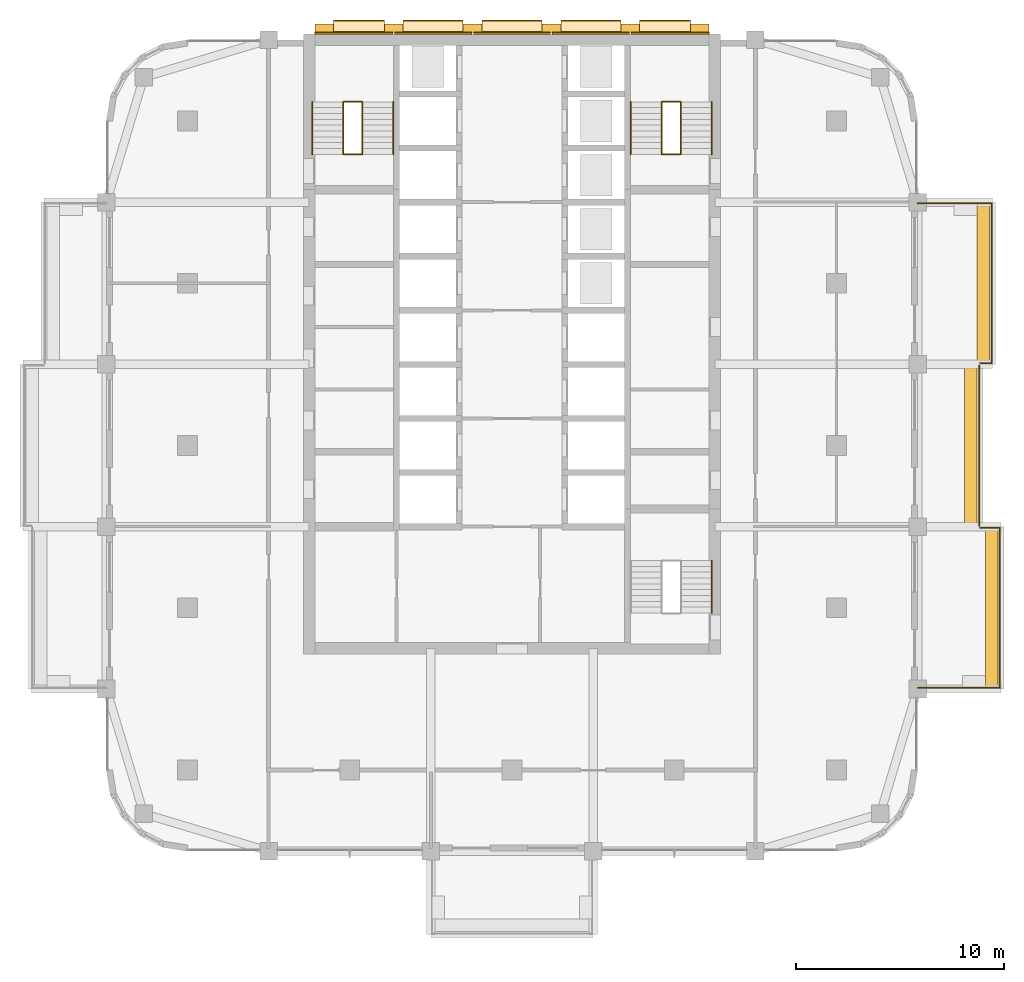
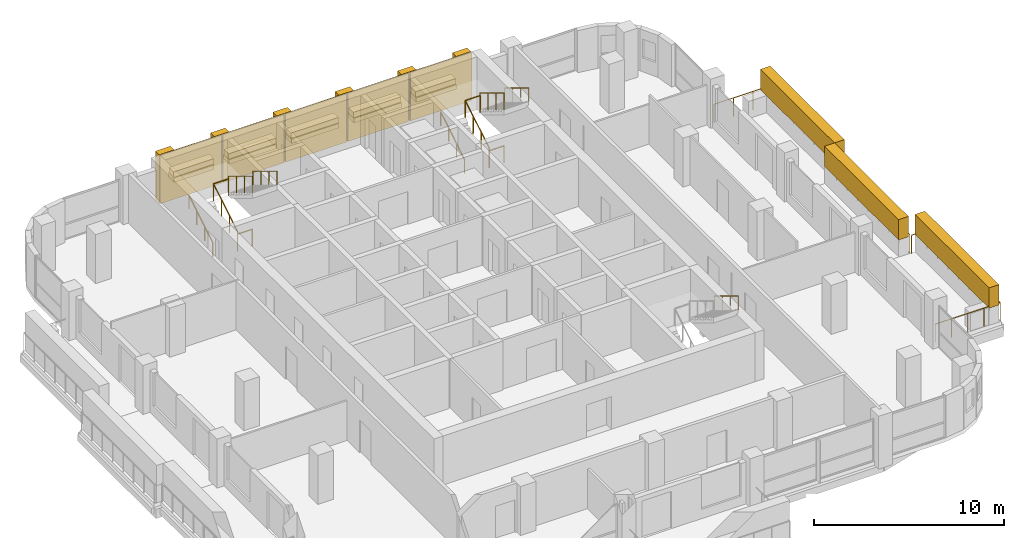
# One storey, part 18 of 19: 24 coverings, 16 railings, 3 elements without a shape of their own.
"""IFC4 building model written with IfcOpenShell, lengths in metres."""

from ifc_helpers import new_model, si_unit, direction, frame, origin, origin_2d, place, context, subcontext, project, spatial, rectangle, circle, extrude, material, layer, layer_set, type_object, element, aggregate, save


model = new_model("IFC4")

# Units and contexts
model_context = context("Model", 3, precision=1e-05, world=origin(), true_north=direction((0.0, 1.0)))
body_context = subcontext(model_context, "Body", "Model", "MODEL_VIEW")
ifc_project = project(units=[si_unit("LENGTHUNIT", "METRE"), si_unit("AREAUNIT", "SQUARE_METRE"), si_unit("VOLUMEUNIT", "CUBIC_METRE"), si_unit("PLANEANGLEUNIT", "RADIAN"), si_unit("MASSUNIT", "GRAM", prefix="KILO")], contexts=[model_context])

# Site, building, storey
site_placement = place(None, origin())
site = spatial("IfcSite", under=ifc_project, at=site_placement, CompositionType="ELEMENT")
building_placement = place(site_placement, origin())
building = spatial("IfcBuilding", under=site, at=building_placement, Name="Ludao Terraces", CompositionType="ELEMENT")
storey_placement = place(building_placement, frame((0.0, 0.0, 133.89990234375)))
storey = spatial("IfcBuildingStorey", under=building, at=storey_placement, Name="L36", CompositionType="ELEMENT", Elevation=133.89990234375)

# Railings
ifc_material_1 = material(Name="Stainless steel 304", Category="steel")
railing_type_1 = type_object("IfcRailingType", Name="ENV Balcony glass guard 1200", PredefinedType="GUARDRAIL", material=ifc_material_1)
railing_1_placement = place(storey_placement, frame((104.5, 53.35009765625, 0.0)))
element("IfcRailing", 1, at=railing_1_placement, inside=storey, type_object=railing_type_1, Name="Balcony guard L36 E1", PredefinedType="GUARDRAIL", context=body_context, shape_type="SweptSolid", body=[
    extrude(circle(Radius=0.02392578125, at=origin_2d()), frame((0.0, 0.0, 1.17578125), z_axis=(1.0, 0.0, 0.0), x_axis=(0.0, 1.0, 0.0)), (0.0, 0.0, 1.0), 3.949951171875),
    extrude(circle(Radius=0.02392578125, at=origin_2d()), frame((3.949951171875, 0.0, 1.17578125), z_axis=(0.0, 1.0, 0.0), x_axis=(-1.0, 0.0, 0.0)), (0.0, 0.0, 1.0), 7.699951171875),
    extrude(circle(Radius=0.02392578125, at=origin_2d()), frame((3.949951171875, 7.699951171875, 1.17578125), z_axis=(-1.0, 0.0, 0.0), x_axis=(0.0, -1.0, 0.0)), (0.0, 0.0, 1.0), 0.949951171875),
    extrude(circle(Radius=0.02099609375, at=origin_2d()), origin(), (0.0, 0.0, 1.0), 1.15185546875),
    extrude(circle(Radius=0.02099609375, at=origin_2d()), frame((0.987548828125, 0.0, 0.0)), (0.0, 0.0, 1.0), 1.15185546875),
    extrude(circle(Radius=0.02099609375, at=origin_2d()), frame((1.97509765625, 0.0, 0.0)), (0.0, 0.0, 1.0), 1.15185546875),
    extrude(circle(Radius=0.02099609375, at=origin_2d()), frame((2.96240234375, 0.0, 0.0)), (0.0, 0.0, 1.0), 1.15185546875),
    extrude(circle(Radius=0.02099609375, at=origin_2d()), frame((3.949951171875, 0.0, 0.0)), (0.0, 0.0, 1.0), 1.15185546875),
    extrude(circle(Radius=0.02099609375, at=origin_2d()), frame((3.949951171875, 1.10009765625, 0.0)), (0.0, 0.0, 1.0), 1.15185546875),
    extrude(circle(Radius=0.02099609375, at=origin_2d()), frame((3.949951171875, 2.199951171875, 0.0)), (0.0, 0.0, 1.0), 1.15185546875),
    extrude(circle(Radius=0.02099609375, at=origin_2d()), frame((3.949951171875, 3.300048828125, 0.0)), (0.0, 0.0, 1.0), 1.15185546875),
    extrude(circle(Radius=0.02099609375, at=origin_2d()), frame((3.949951171875, 4.39990234375, 0.0)), (0.0, 0.0, 1.0), 1.15185546875),
    extrude(circle(Radius=0.02099609375, at=origin_2d()), frame((3.949951171875, 5.5, 0.0)), (0.0, 0.0, 1.0), 1.15185546875),
    extrude(circle(Radius=0.02099609375, at=origin_2d()), frame((3.949951171875, 6.599853515625, 0.0)), (0.0, 0.0, 1.0), 1.15185546875),
    extrude(circle(Radius=0.02099609375, at=origin_2d()), frame((3.949951171875, 7.699951171875, 0.0)), (0.0, 0.0, 1.0), 1.15185546875),
    extrude(circle(Radius=0.02099609375, at=origin_2d()), frame((3.0, 7.699951171875, 0.0)), (0.0, 0.0, 1.0), 1.15185546875),
])
railing_2_placement = place(storey_placement, frame((107.449951171875, 61.14990234375, 0.0)))
element("IfcRailing", 2, at=railing_2_placement, inside=storey, type_object=railing_type_1, Name="Balcony guard L36 E2", PredefinedType="GUARDRAIL", context=body_context, shape_type="SweptSolid", body=[
    extrude(circle(Radius=0.02392578125, at=origin_2d()), frame((0.0, 0.0, 1.17578125), z_axis=(0.0, 1.0, 0.0), x_axis=(-1.0, 0.0, 0.0)), (0.0, 0.0, 1.0), 7.7001953125),
    extrude(circle(Radius=0.02099609375, at=origin_2d()), origin(), (0.0, 0.0, 1.0), 1.15185546875),
    extrude(circle(Radius=0.02099609375, at=origin_2d()), frame((0.0, 1.10009765625, 0.0)), (0.0, 0.0, 1.0), 1.15185546875),
    extrude(circle(Radius=0.02099609375, at=origin_2d()), frame((0.0, 2.199951171875, 0.0)), (0.0, 0.0, 1.0), 1.15185546875),
    extrude(circle(Radius=0.02099609375, at=origin_2d()), frame((0.0, 3.300048828125, 0.0)), (0.0, 0.0, 1.0), 1.15185546875),
    extrude(circle(Radius=0.02099609375, at=origin_2d()), frame((0.0, 4.400146484375, 0.0)), (0.0, 0.0, 1.0), 1.15185546875),
    extrude(circle(Radius=0.02099609375, at=origin_2d()), frame((0.0, 5.500244140625, 0.0)), (0.0, 0.0, 1.0), 1.15185546875),
    extrude(circle(Radius=0.02099609375, at=origin_2d()), frame((0.0, 6.60009765625, 0.0)), (0.0, 0.0, 1.0), 1.15185546875),
    extrude(circle(Radius=0.02099609375, at=origin_2d()), frame((0.0, 7.7001953125, 0.0)), (0.0, 0.0, 1.0), 1.15185546875),
])
railing_3_placement = place(storey_placement, frame((107.5, 68.949951171875, 0.0)))
element("IfcRailing", 3, at=railing_3_placement, inside=storey, type_object=railing_type_1, Name="Balcony guard L36 E3", PredefinedType="GUARDRAIL", context=body_context, shape_type="SweptSolid", body=[
    extrude(circle(Radius=0.02392578125, at=origin_2d()), frame((0.0, 0.0, 1.17578125), z_axis=(1.0, 0.0, 0.0), x_axis=(0.0, 1.0, 0.0)), (0.0, 0.0, 1.0), 0.550048828125),
    extrude(circle(Radius=0.02392578125, at=origin_2d()), frame((0.550048828125, 0.0, 1.17578125), z_axis=(0.0, 1.0, 0.0), x_axis=(-1.0, 0.0, 0.0)), (0.0, 0.0, 1.0), 7.699951171875),
    extrude(circle(Radius=0.02392578125, at=origin_2d()), frame((0.550048828125, 7.699951171875, 1.17578125), z_axis=(-1.0, 0.0, 0.0), x_axis=(0.0, -1.0, 0.0)), (0.0, 0.0, 1.0), 3.550048828125),
    extrude(circle(Radius=0.02099609375, at=origin_2d()), origin(), (0.0, 0.0, 1.0), 1.15185546875),
    extrude(circle(Radius=0.02099609375, at=origin_2d()), frame((0.550048828125, 0.0, 0.0)), (0.0, 0.0, 1.0), 1.15185546875),
    extrude(circle(Radius=0.02099609375, at=origin_2d()), frame((0.550048828125, 1.10009765625, 0.0)), (0.0, 0.0, 1.0), 1.15185546875),
    extrude(circle(Radius=0.02099609375, at=origin_2d()), frame((0.550048828125, 2.199951171875, 0.0)), (0.0, 0.0, 1.0), 1.15185546875),
    extrude(circle(Radius=0.02099609375, at=origin_2d()), frame((0.550048828125, 3.300048828125, 0.0)), (0.0, 0.0, 1.0), 1.15185546875),
    extrude(circle(Radius=0.02099609375, at=origin_2d()), frame((0.550048828125, 4.39990234375, 0.0)), (0.0, 0.0, 1.0), 1.15185546875),
    extrude(circle(Radius=0.02099609375, at=origin_2d()), frame((0.550048828125, 5.5, 0.0)), (0.0, 0.0, 1.0), 1.15185546875),
    extrude(circle(Radius=0.02099609375, at=origin_2d()), frame((0.550048828125, 6.599853515625, 0.0)), (0.0, 0.0, 1.0), 1.15185546875),
    extrude(circle(Radius=0.02099609375, at=origin_2d()), frame((0.550048828125, 7.699951171875, 0.0)), (0.0, 0.0, 1.0), 1.15185546875),
    extrude(circle(Radius=0.02099609375, at=origin_2d()), frame((-0.63330078125, 7.699951171875, 0.0)), (0.0, 0.0, 1.0), 1.15185546875),
    extrude(circle(Radius=0.02099609375, at=origin_2d()), frame((-1.816650390625, 7.699951171875, 0.0)), (0.0, 0.0, 1.0), 1.15185546875),
    extrude(circle(Radius=0.02099609375, at=origin_2d()), frame((-3.0, 7.699951171875, 0.0)), (0.0, 0.0, 1.0), 1.15185546875),
])

# Coverings
ifc_material_2 = material(Name="Granite cladding", Category="masonry")
ifc_layer_1 = layer(ifc_material_2, 0.39990234375)
ifc_layer_set_1 = layer_set([ifc_layer_1], Name="ENV Core pilaster stone 400")
covering_type_1 = type_object("IfcCoveringType", Name="ENV Core pilaster stone 400", PredefinedType="CLADDING", material=ifc_layer_set_1)
for number, where, z_axis, x_axis, name in (
    (4, (75.97509765625, 85.054931640625, 0.0), (0.0, 0.0, 1.0), (1.0, 0.0, 0.0), "CC-L36-PIL1"),
    (5, (79.31494140625, 85.054931640625, 0.0), (0.0, 0.0, 1.0), (1.0, 0.0, 0.0), "CC-L36-PIL2"),
    (6, (83.10498046875, 85.054931640625, 0.0), (0.0, 0.0, 1.0), (1.0, 0.0, 0.0), "CC-L36-PIL3"),
    (7, (86.89501953125, 85.054931640625, 0.0), (0.0, 0.0, 1.0), (1.0, 0.0, 0.0), "CC-L36-PIL4"),
    (8, (90.68505859375, 85.054931640625, 0.0), (0.0, 0.0, 1.0), (1.0, 0.0, 0.0), "CC-L36-PIL5"),
    (9, (94.02490234375, 85.054931640625, 0.0), (0.0, 0.0, 1.0), (1.0, 0.0, 0.0), "CC-L36-PIL6"),
):
    element("IfcCovering", number, at=place(storey_placement, frame(where, z_axis=z_axis, x_axis=x_axis)), inside=storey, type_object=covering_type_1, Name=name, PredefinedType="CLADDING", context=body_context, shape_type="SweptSolid", body=[
        extrude(rectangle(XDim=0.89990234375, YDim=0.39990234375, at=origin_2d()), origin(), (0.0, 0.0, 1.0), 3.10009765625),
    ])
ifc_layer_2 = layer(ifc_material_2, 0.60009765625)
ifc_layer_set_2 = layer_set([ifc_layer_2], Name="ENV Core planting shelf stone 600")
covering_type_2 = type_object("IfcCoveringType", Name="ENV Core planting shelf stone 600", PredefinedType="CLADDING", material=ifc_layer_set_2)
covering_1_placement = place(storey_placement, frame((77.64501953125, 85.155029296875, 1.0), z_axis=(0.0, 0.0, 1.0), x_axis=(1.0, 0.0, 0.0)))
element("IfcCovering", 10, at=covering_1_placement, inside=storey, type_object=covering_type_2, Name="CC-L36-SHELF1", PredefinedType="CLADDING", context=body_context, shape_type="SweptSolid", body=[
    extrude(rectangle(XDim=2.43994140625, YDim=0.60009765625, at=origin_2d()), origin(), (0.0, 0.0, 1.0), 0.300048828125),
])
for number, where, z_axis, x_axis, name in (
    (11, (81.2099609375, 85.155029296875, 1.0), (0.0, 0.0, 1.0), (1.0, 0.0, 0.0), "CC-L36-SHELF2"),
    (12, (85.0, 85.155029296875, 1.0), (0.0, 0.0, 1.0), (1.0, 0.0, 0.0), "CC-L36-SHELF3"),
    (13, (88.7900390625, 85.155029296875, 1.0), (0.0, 0.0, 1.0), (1.0, 0.0, 0.0), "CC-L36-SHELF4"),
):
    element("IfcCovering", number, at=place(storey_placement, frame(where, z_axis=z_axis, x_axis=x_axis)), inside=storey, type_object=covering_type_2, Name=name, PredefinedType="CLADDING", context=body_context, shape_type="SweptSolid", body=[
        extrude(rectangle(XDim=2.889892578125, YDim=0.60009765625, at=origin_2d()), origin(), (0.0, 0.0, 1.0), 0.300048828125),
    ])
covering_2_placement = place(storey_placement, frame((92.35498046875, 85.155029296875, 1.0), z_axis=(0.0, 0.0, 1.0), x_axis=(1.0, 0.0, 0.0)))
element("IfcCovering", 14, at=covering_2_placement, inside=storey, type_object=covering_type_2, Name="CC-L36-SHELF5", PredefinedType="CLADDING", context=body_context, shape_type="SweptSolid", body=[
    extrude(rectangle(XDim=2.43994140625, YDim=0.60009765625, at=origin_2d()), origin(), (0.0, 0.0, 1.0), 0.300048828125),
])
ifc_layer_3 = layer(ifc_material_2, 0.080078125)
ifc_layer_set_3 = layer_set([ifc_layer_3], Name="ENV Core stone cladding panel 80")
covering_type_3 = type_object("IfcCoveringType", Name="ENV Core stone cladding panel 80", PredefinedType="CLADDING", material=ifc_layer_set_3)
covering_3_placement = place(storey_placement, frame((77.39501953125, 84.81494140625, 0.0), z_axis=(0.0, 0.0, 1.0), x_axis=(1.0, 0.0, 0.0)))
element("IfcCovering", 15, at=covering_3_placement, inside=storey, type_object=covering_type_3, Name="CC-L36-CORE1", PredefinedType="CLADDING", context=body_context, shape_type="SweptSolid", body=[
    extrude(rectangle(XDim=3.739990234375, YDim=0.080078125, at=origin_2d()), origin(), (0.0, 0.0, 1.0), 3.10009765625),
])
for number, where, z_axis, x_axis, name in (
    (16, (81.2099609375, 84.81494140625, 0.0), (0.0, 0.0, 1.0), (1.0, 0.0, 0.0), "CC-L36-CORE2"),
    (17, (85.0, 84.81494140625, 0.0), (0.0, 0.0, 1.0), (1.0, 0.0, 0.0), "CC-L36-CORE3"),
    (18, (88.7900390625, 84.81494140625, 0.0), (0.0, 0.0, 1.0), (1.0, 0.0, 0.0), "CC-L36-CORE4"),
):
    element("IfcCovering", number, at=place(storey_placement, frame(where, z_axis=z_axis, x_axis=x_axis)), inside=storey, type_object=covering_type_3, Name=name, PredefinedType="CLADDING", context=body_context, shape_type="SweptSolid", body=[
        extrude(rectangle(XDim=3.68994140625, YDim=0.080078125, at=origin_2d()), origin(), (0.0, 0.0, 1.0), 3.10009765625),
    ])
covering_4_placement = place(storey_placement, frame((92.60498046875, 84.81494140625, 0.0), z_axis=(0.0, 0.0, 1.0), x_axis=(1.0, 0.0, 0.0)))
element("IfcCovering", 19, at=covering_4_placement, inside=storey, type_object=covering_type_3, Name="CC-L36-CORE5", PredefinedType="CLADDING", context=body_context, shape_type="SweptSolid", body=[
    extrude(rectangle(XDim=3.739990234375, YDim=0.080078125, at=origin_2d()), origin(), (0.0, 0.0, 1.0), 3.10009765625),
])
ifc_material_3 = material(Name="Planting")
ifc_layer_4 = layer(ifc_material_3, 0.60009765625)
ifc_layer_set_4 = layer_set([ifc_layer_4], Name="ENV Planting hedge 600x1300")
covering_type_4 = type_object("IfcCoveringType", Name="ENV Planting hedge 600x1300", PredefinedType="USERDEFINED", material=ifc_layer_set_4)
for number, where, z_axis, x_axis, name in (
    (20, (108.050048828125, 57.199951171875, 1.10009765625), (0.0, 0.0, 1.0), (1.0, 0.0, 0.0), "Planting hedge L36-E1"),
    (21, (107.050048828125, 65.0, 1.10009765625), (0.0, 0.0, 1.0), (1.0, 0.0, 0.0), "Planting hedge L36-E2"),
    (22, (107.64990234375, 72.800048828125, 1.10009765625), (0.0, 0.0, 1.0), (1.0, 0.0, 0.0), "Planting hedge L36-E3"),
):
    element("IfcCovering", number, at=place(storey_placement, frame(where, z_axis=z_axis, x_axis=x_axis)), inside=storey, type_object=covering_type_4, Name=name, ObjectType="PLANTING", PredefinedType="USERDEFINED", context=body_context, shape_type="SweptSolid", body=[
        extrude(rectangle(XDim=0.60009765625, YDim=7.800048828125, at=origin_2d()), origin(), (0.0, 0.0, 1.0), 1.300048828125),
    ])
ifc_layer_5 = layer(ifc_material_3, 0.5)
ifc_layer_set_5 = layer_set([ifc_layer_5], Name="ENV Shelf planting bed 350")
covering_type_5 = type_object("IfcCoveringType", Name="ENV Shelf planting bed 350", PredefinedType="USERDEFINED", material=ifc_layer_set_5)
covering_5_placement = place(storey_placement, frame((77.64501953125, 85.155029296875, 1.300048828125), z_axis=(0.0, 0.0, 1.0), x_axis=(1.0, 0.0, 0.0)))
element("IfcCovering", 23, at=covering_5_placement, inside=storey, type_object=covering_type_5, Name="Shelf planting bed L36 1", ObjectType="PLANTING", PredefinedType="USERDEFINED", context=body_context, shape_type="SweptSolid", body=[
    extrude(rectangle(XDim=2.43994140625, YDim=0.5, at=origin_2d()), origin(), (0.0, 0.0, 1.0), 0.35009765625),
])
for number, where, z_axis, x_axis, name in (
    (24, (81.2099609375, 85.155029296875, 1.300048828125), (0.0, 0.0, 1.0), (1.0, 0.0, 0.0), "Shelf planting bed L36 2"),
    (25, (85.0, 85.155029296875, 1.300048828125), (0.0, 0.0, 1.0), (1.0, 0.0, 0.0), "Shelf planting bed L36 3"),
    (26, (88.7900390625, 85.155029296875, 1.300048828125), (0.0, 0.0, 1.0), (1.0, 0.0, 0.0), "Shelf planting bed L36 4"),
):
    element("IfcCovering", number, at=place(storey_placement, frame(where, z_axis=z_axis, x_axis=x_axis)), inside=storey, type_object=covering_type_5, Name=name, ObjectType="PLANTING", PredefinedType="USERDEFINED", context=body_context, shape_type="SweptSolid", body=[
        extrude(rectangle(XDim=2.889892578125, YDim=0.5, at=origin_2d()), origin(), (0.0, 0.0, 1.0), 0.35009765625),
    ])
covering_6_placement = place(storey_placement, frame((92.35498046875, 85.155029296875, 1.300048828125), z_axis=(0.0, 0.0, 1.0), x_axis=(1.0, 0.0, 0.0)))
element("IfcCovering", 27, at=covering_6_placement, inside=storey, type_object=covering_type_5, Name="Shelf planting bed L36 5", ObjectType="PLANTING", PredefinedType="USERDEFINED", context=body_context, shape_type="SweptSolid", body=[
    extrude(rectangle(XDim=2.43994140625, YDim=0.5, at=origin_2d()), origin(), (0.0, 0.0, 1.0), 0.35009765625),
])

# Stair, railings
ifc_material_4 = material(Name="Concrete C40", Category="concrete")
stair_type = type_object("IfcStairType", Name="INT Stair", PredefinedType="HALF_TURN_STAIR", material=ifc_material_4)
stair_1_placement = place(storey_placement, origin())
stair_1 = element("IfcStair", 28, at=stair_1_placement, inside=storey, type_object=stair_type, Name="EXIT STAIR 1", PredefinedType="HALF_TURN_STAIR")
railing_type_2 = type_object("IfcRailingType", Name="INT Stair guard 1100", PredefinedType="GUARDRAIL", material=ifc_material_1)
railing_4_placement = place(storey_placement, frame((76.89990234375, 79.0, 0.170166015625)))
railing_4 = element("IfcRailing", 29, at=railing_4_placement, type_object=railing_type_2, Name="ST-L36-S1-R1G", PredefinedType="GUARDRAIL", context=body_context, shape_type="SweptSolid", body=[
    extrude(circle(Radius=0.02392578125, at=origin_2d()), frame((0.0, 0.0, 1.076171875), z_axis=(0.0, 0.85478489116, 0.518982456201), x_axis=(-1.0, 0.0, 0.0)), (0.0, 0.0, 1.0), 2.9482421875),
    extrude(circle(Radius=0.02099609375, at=origin_2d()), origin(), (0.0, 0.0, 1.0), 1.052001953125),
    extrude(circle(Radius=0.02099609375, at=origin_2d()), frame((0.0, 0.840087890625, 0.510009765625)), (0.0, 0.0, 1.0), 1.052001953125),
    extrude(circle(Radius=0.02099609375, at=origin_2d()), frame((0.0, 1.679931640625, 1.02001953125)), (0.0, 0.0, 1.0), 1.052001953125),
    extrude(circle(Radius=0.02099609375, at=origin_2d()), frame((0.0, 2.52001953125, 1.530029296875)), (0.0, 0.0, 1.0), 1.052001953125),
])
railing_5_placement = place(storey_placement, frame((77.800048828125, 81.52001953125, 1.8701171875)))
railing_5 = element("IfcRailing", 30, at=railing_5_placement, type_object=railing_type_2, Name="ST-L36-S1-R2G", PredefinedType="GUARDRAIL", context=body_context, shape_type="SweptSolid", body=[
    extrude(circle(Radius=0.02392578125, at=origin_2d()), frame((0.0, 0.0, 1.076171875), z_axis=(0.0, -0.85478489116, 0.518982456201), x_axis=(1.0, 0.0, 0.0)), (0.0, 0.0, 1.0), 2.9482421875),
    extrude(circle(Radius=0.02099609375, at=origin_2d()), origin(), (0.0, 0.0, 1.0), 1.052001953125),
    extrude(circle(Radius=0.02099609375, at=origin_2d()), frame((0.0, -0.840087890625, 0.510009765625)), (0.0, 0.0, 1.0), 1.052001953125),
    extrude(circle(Radius=0.02099609375, at=origin_2d()), frame((0.0, -1.679931640625, 1.02001953125)), (0.0, 0.0, 1.0), 1.052001953125),
    extrude(circle(Radius=0.02099609375, at=origin_2d()), frame((0.0, -2.52001953125, 1.530029296875)), (0.0, 0.0, 1.0), 1.052001953125),
])
railing_6_placement = place(storey_placement, frame((76.89990234375, 81.52001953125, 1.7001953125)))
railing_6 = element("IfcRailing", 31, at=railing_6_placement, type_object=railing_type_2, Name="ST-L36-S1-E1G", PredefinedType="GUARDRAIL", context=body_context, shape_type="SweptSolid", body=[
    extrude(circle(Radius=0.02392578125, at=origin_2d()), frame((0.0, 0.0, 1.076171875), z_axis=(1.0, 0.0, 0.0), x_axis=(0.0, 1.0, 0.0)), (0.0, 0.0, 1.0), 0.900146484375),
    extrude(circle(Radius=0.02099609375, at=origin_2d()), origin(), (0.0, 0.0, 1.0), 1.052001953125),
    extrude(circle(Radius=0.02099609375, at=origin_2d()), frame((0.900146484375, 0.0, 0.0)), (0.0, 0.0, 1.0), 1.052001953125),
])
railing_7_placement = place(storey_placement, frame((76.89990234375, 79.0, 0.0)))
railing_7 = element("IfcRailing", 32, at=railing_7_placement, type_object=railing_type_2, Name="ST-L36-S1-E2G", PredefinedType="GUARDRAIL", context=body_context, shape_type="SweptSolid", body=[
    extrude(circle(Radius=0.02392578125, at=origin_2d()), frame((0.0, 0.0, 1.076171875), z_axis=(1.0, 0.0, 0.0), x_axis=(0.0, 1.0, 0.0)), (0.0, 0.0, 1.0), 0.900146484375),
    extrude(circle(Radius=0.02099609375, at=origin_2d()), origin(), (0.0, 0.0, 1.0), 1.052001953125),
    extrude(circle(Radius=0.02099609375, at=origin_2d()), frame((0.900146484375, 0.0, 0.0)), (0.0, 0.0, 1.0), 1.052001953125),
])

stair_2_placement = place(storey_placement, origin())
stair_2 = element("IfcStair", 33, at=stair_2_placement, inside=storey, type_object=stair_type, Name="EXIT STAIR 2", PredefinedType="HALF_TURN_STAIR")
railing_8_placement = place(storey_placement, frame((92.199951171875, 79.0, 0.170166015625)))
railing_8 = element("IfcRailing", 34, at=railing_8_placement, type_object=railing_type_2, Name="ST-L36-S2-R1G", PredefinedType="GUARDRAIL", context=body_context, shape_type="SweptSolid", body=[
    extrude(circle(Radius=0.02392578125, at=origin_2d()), frame((0.0, 0.0, 1.076171875), z_axis=(0.0, 0.85478489116, 0.518982456201), x_axis=(-1.0, 0.0, 0.0)), (0.0, 0.0, 1.0), 2.9482421875),
    extrude(circle(Radius=0.02099609375, at=origin_2d()), origin(), (0.0, 0.0, 1.0), 1.052001953125),
    extrude(circle(Radius=0.02099609375, at=origin_2d()), frame((0.0, 0.840087890625, 0.510009765625)), (0.0, 0.0, 1.0), 1.052001953125),
    extrude(circle(Radius=0.02099609375, at=origin_2d()), frame((0.0, 1.679931640625, 1.02001953125)), (0.0, 0.0, 1.0), 1.052001953125),
    extrude(circle(Radius=0.02099609375, at=origin_2d()), frame((0.0, 2.52001953125, 1.530029296875)), (0.0, 0.0, 1.0), 1.052001953125),
])
railing_9_placement = place(storey_placement, frame((93.10009765625, 81.52001953125, 1.8701171875)))
railing_9 = element("IfcRailing", 35, at=railing_9_placement, type_object=railing_type_2, Name="ST-L36-S2-R2G", PredefinedType="GUARDRAIL", context=body_context, shape_type="SweptSolid", body=[
    extrude(circle(Radius=0.02392578125, at=origin_2d()), frame((0.0, 0.0, 1.076171875), z_axis=(0.0, -0.85478489116, 0.518982456201), x_axis=(1.0, 0.0, 0.0)), (0.0, 0.0, 1.0), 2.9482421875),
    extrude(circle(Radius=0.02099609375, at=origin_2d()), origin(), (0.0, 0.0, 1.0), 1.052001953125),
    extrude(circle(Radius=0.02099609375, at=origin_2d()), frame((0.0, -0.840087890625, 0.510009765625)), (0.0, 0.0, 1.0), 1.052001953125),
    extrude(circle(Radius=0.02099609375, at=origin_2d()), frame((0.0, -1.679931640625, 1.02001953125)), (0.0, 0.0, 1.0), 1.052001953125),
    extrude(circle(Radius=0.02099609375, at=origin_2d()), frame((0.0, -2.52001953125, 1.530029296875)), (0.0, 0.0, 1.0), 1.052001953125),
])
railing_10_placement = place(storey_placement, frame((92.199951171875, 81.52001953125, 1.7001953125)))
railing_10 = element("IfcRailing", 36, at=railing_10_placement, type_object=railing_type_2, Name="ST-L36-S2-E1G", PredefinedType="GUARDRAIL", context=body_context, shape_type="SweptSolid", body=[
    extrude(circle(Radius=0.02392578125, at=origin_2d()), frame((0.0, 0.0, 1.076171875), z_axis=(1.0, 0.0, 0.0), x_axis=(0.0, 1.0, 0.0)), (0.0, 0.0, 1.0), 0.900146484375),
    extrude(circle(Radius=0.02099609375, at=origin_2d()), origin(), (0.0, 0.0, 1.0), 1.052001953125),
    extrude(circle(Radius=0.02099609375, at=origin_2d()), frame((0.900146484375, 0.0, 0.0)), (0.0, 0.0, 1.0), 1.052001953125),
])
railing_11_placement = place(storey_placement, frame((92.199951171875, 79.0, 0.0)))
railing_11 = element("IfcRailing", 37, at=railing_11_placement, type_object=railing_type_2, Name="ST-L36-S2-E2G", PredefinedType="GUARDRAIL", context=body_context, shape_type="SweptSolid", body=[
    extrude(circle(Radius=0.02392578125, at=origin_2d()), frame((0.0, 0.0, 1.076171875), z_axis=(1.0, 0.0, 0.0), x_axis=(0.0, 1.0, 0.0)), (0.0, 0.0, 1.0), 0.900146484375),
    extrude(circle(Radius=0.02099609375, at=origin_2d()), origin(), (0.0, 0.0, 1.0), 1.052001953125),
    extrude(circle(Radius=0.02099609375, at=origin_2d()), frame((0.900146484375, 0.0, 0.0)), (0.0, 0.0, 1.0), 1.052001953125),
])

# Railing
railing_type_3 = type_object("IfcRailingType", Name="INT Stair handrail 900", PredefinedType="HANDRAIL", material=ifc_material_1)
railing_12_placement = place(storey_placement, frame((75.39990234375, 79.0, 0.170166015625)))
railing_12 = element("IfcRailing", 38, at=railing_12_placement, type_object=railing_type_3, Name="ST-L36-S1-R1H", PredefinedType="HANDRAIL", context=body_context, shape_type="SweptSolid", body=[
    extrude(circle(Radius=0.02392578125, at=origin_2d()), frame((0.0, 0.0, 0.8759765625), z_axis=(0.0, 0.85478489116, 0.518982456201), x_axis=(-1.0, 0.0, 0.0)), (0.0, 0.0, 1.0), 2.9482421875),
    extrude(circle(Radius=0.02099609375, at=origin_2d()), origin(), (0.0, 0.0, 1.0), 0.851806640625),
    extrude(circle(Radius=0.02099609375, at=origin_2d()), frame((0.0, 0.840087890625, 0.510009765625)), (0.0, 0.0, 1.0), 0.851806640625),
    extrude(circle(Radius=0.02099609375, at=origin_2d()), frame((0.0, 1.679931640625, 1.02001953125)), (0.0, 0.0, 1.0), 0.851806640625),
    extrude(circle(Radius=0.02099609375, at=origin_2d()), frame((0.0, 2.52001953125, 1.530029296875)), (0.0, 0.0, 1.0), 0.851806640625),
])

railing_13_placement = place(storey_placement, frame((79.300048828125, 81.52001953125, 1.8701171875)))
railing_13 = element("IfcRailing", 39, at=railing_13_placement, type_object=railing_type_3, Name="ST-L36-S1-R2H", PredefinedType="HANDRAIL", context=body_context, shape_type="SweptSolid", body=[
    extrude(circle(Radius=0.02392578125, at=origin_2d()), frame((0.0, 0.0, 0.8759765625), z_axis=(0.0, -0.85478489116, 0.518982456201), x_axis=(1.0, 0.0, 0.0)), (0.0, 0.0, 1.0), 2.9482421875),
    extrude(circle(Radius=0.02099609375, at=origin_2d()), origin(), (0.0, 0.0, 1.0), 0.851806640625),
    extrude(circle(Radius=0.02099609375, at=origin_2d()), frame((0.0, -0.840087890625, 0.510009765625)), (0.0, 0.0, 1.0), 0.851806640625),
    extrude(circle(Radius=0.02099609375, at=origin_2d()), frame((0.0, -1.679931640625, 1.02001953125)), (0.0, 0.0, 1.0), 0.851806640625),
    extrude(circle(Radius=0.02099609375, at=origin_2d()), frame((0.0, -2.52001953125, 1.530029296875)), (0.0, 0.0, 1.0), 0.851806640625),
])

aggregate(stair_1, [railing_4, railing_12, railing_5, railing_13, railing_6, railing_7])

railing_14_placement = place(storey_placement, frame((90.699951171875, 79.0, 0.170166015625)))
railing_14 = element("IfcRailing", 40, at=railing_14_placement, type_object=railing_type_3, Name="ST-L36-S2-R1H", PredefinedType="HANDRAIL", context=body_context, shape_type="SweptSolid", body=[
    extrude(circle(Radius=0.02392578125, at=origin_2d()), frame((0.0, 0.0, 0.8759765625), z_axis=(0.0, 0.85478489116, 0.518982456201), x_axis=(-1.0, 0.0, 0.0)), (0.0, 0.0, 1.0), 2.9482421875),
    extrude(circle(Radius=0.02099609375, at=origin_2d()), origin(), (0.0, 0.0, 1.0), 0.851806640625),
    extrude(circle(Radius=0.02099609375, at=origin_2d()), frame((0.0, 0.840087890625, 0.510009765625)), (0.0, 0.0, 1.0), 0.851806640625),
    extrude(circle(Radius=0.02099609375, at=origin_2d()), frame((0.0, 1.679931640625, 1.02001953125)), (0.0, 0.0, 1.0), 0.851806640625),
    extrude(circle(Radius=0.02099609375, at=origin_2d()), frame((0.0, 2.52001953125, 1.530029296875)), (0.0, 0.0, 1.0), 0.851806640625),
])

railing_15_placement = place(storey_placement, frame((94.60009765625, 81.52001953125, 1.8701171875)))
railing_15 = element("IfcRailing", 41, at=railing_15_placement, type_object=railing_type_3, Name="ST-L36-S2-R2H", PredefinedType="HANDRAIL", context=body_context, shape_type="SweptSolid", body=[
    extrude(circle(Radius=0.02392578125, at=origin_2d()), frame((0.0, 0.0, 0.8759765625), z_axis=(0.0, -0.85478489116, 0.518982456201), x_axis=(1.0, 0.0, 0.0)), (0.0, 0.0, 1.0), 2.9482421875),
    extrude(circle(Radius=0.02099609375, at=origin_2d()), origin(), (0.0, 0.0, 1.0), 0.851806640625),
    extrude(circle(Radius=0.02099609375, at=origin_2d()), frame((0.0, -0.840087890625, 0.510009765625)), (0.0, 0.0, 1.0), 0.851806640625),
    extrude(circle(Radius=0.02099609375, at=origin_2d()), frame((0.0, -1.679931640625, 1.02001953125)), (0.0, 0.0, 1.0), 0.851806640625),
    extrude(circle(Radius=0.02099609375, at=origin_2d()), frame((0.0, -2.52001953125, 1.530029296875)), (0.0, 0.0, 1.0), 0.851806640625),
])

aggregate(stair_2, [railing_8, railing_14, railing_9, railing_15, railing_10, railing_11])

# Stair, railing
stair_3_placement = place(storey_placement, origin())
stair_3 = element("IfcStair", 42, at=stair_3_placement, inside=storey, type_object=stair_type, Name="EXIT STAIR 3", PredefinedType="HALF_TURN_STAIR")
railing_16_placement = place(storey_placement, frame((94.60009765625, 59.469970703125, 1.8701171875)))
railing_16 = element("IfcRailing", 43, at=railing_16_placement, type_object=railing_type_3, Name="ST-L36-S3-R2H", PredefinedType="HANDRAIL", context=body_context, shape_type="SweptSolid", body=[
    extrude(circle(Radius=0.02392578125, at=origin_2d()), frame((0.0, 0.0, 0.8759765625), z_axis=(0.0, -0.85478489116, 0.518982456201), x_axis=(1.0, 0.0, 0.0)), (0.0, 0.0, 1.0), 2.9482421875),
    extrude(circle(Radius=0.02099609375, at=origin_2d()), origin(), (0.0, 0.0, 1.0), 0.851806640625),
    extrude(circle(Radius=0.02099609375, at=origin_2d()), frame((0.0, -0.840087890625, 0.510009765625)), (0.0, 0.0, 1.0), 0.851806640625),
    extrude(circle(Radius=0.02099609375, at=origin_2d()), frame((0.0, -1.679931640625, 1.02001953125)), (0.0, 0.0, 1.0), 0.851806640625),
    extrude(circle(Radius=0.02099609375, at=origin_2d()), frame((0.0, -2.52001953125, 1.530029296875)), (0.0, 0.0, 1.0), 0.851806640625),
])
aggregate(stair_3, [railing_16])

save(model, "model.ifc")
